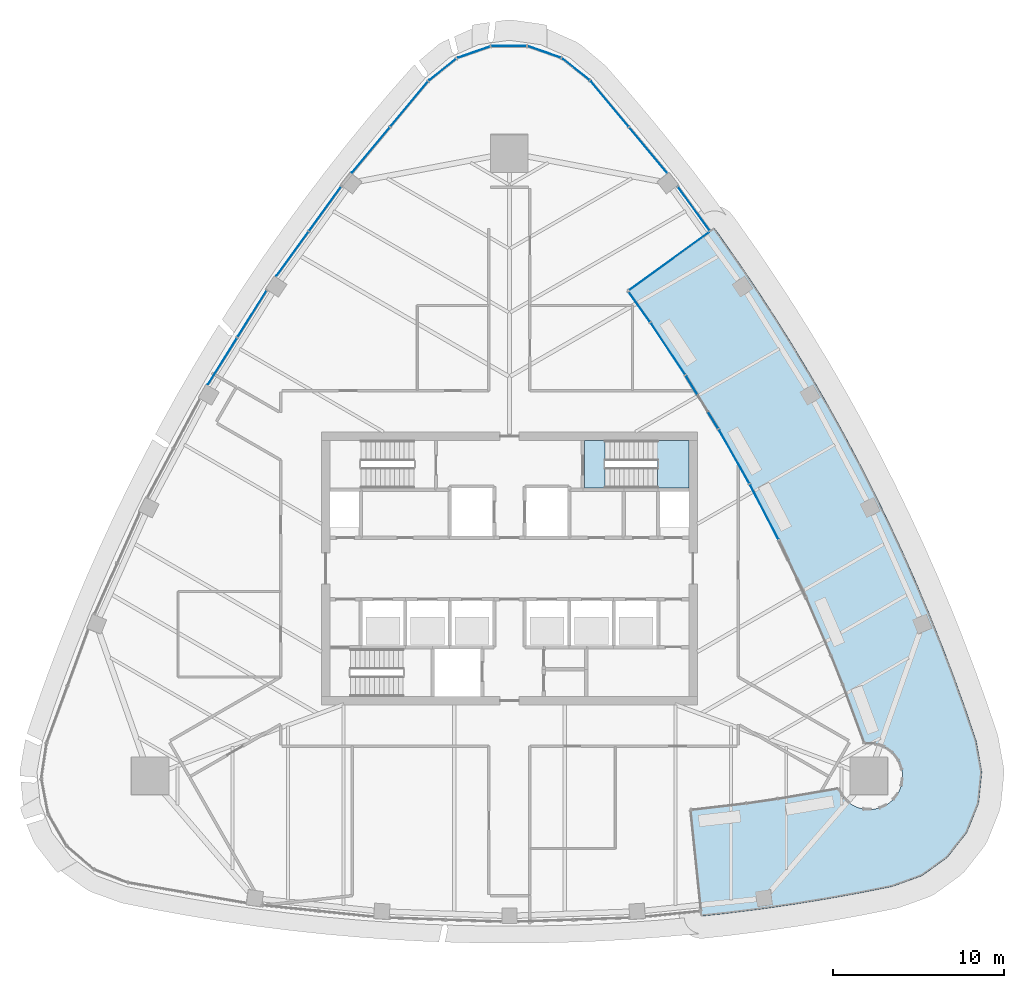
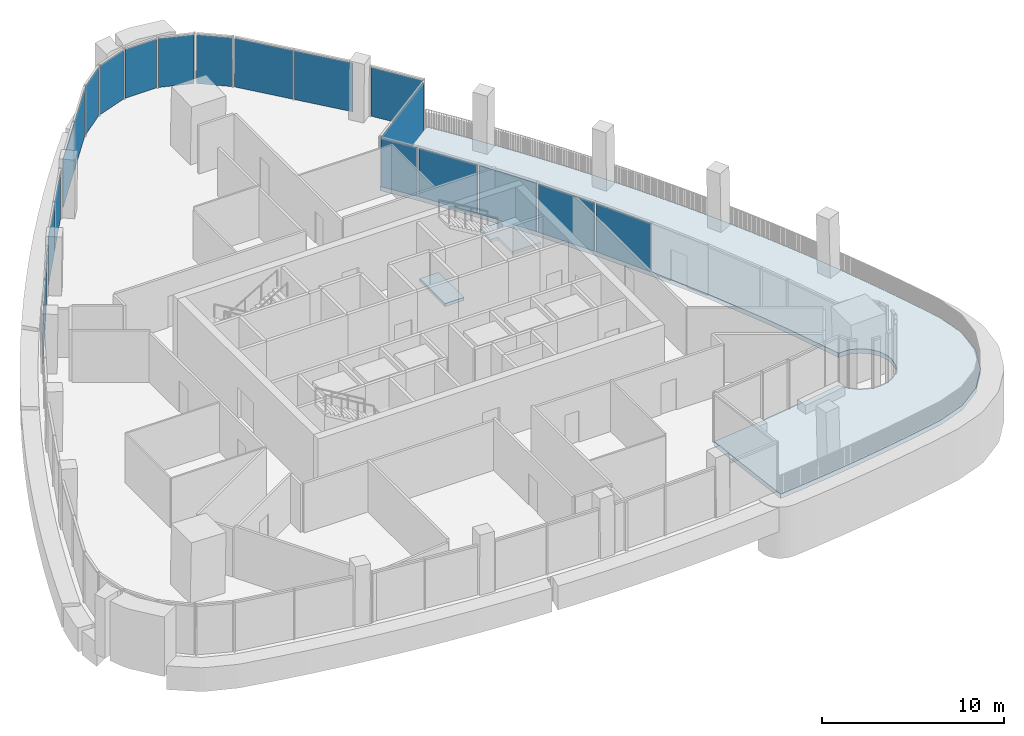
# One storey, part 10 of 20: 20 plates, 3 slabs, 17 elements without a shape of their own.
"""IFC4 building model written with IfcOpenShell, lengths in metres."""

from ifc_helpers import new_model, si_unit, direction, frame, origin, origin_2d, place, context, subcontext, project, spatial, polyline, rectangle, outline, extrude, material, layer, layer_set, type_object, element, aggregate, save


model = new_model("IFC4")

# Units and contexts
model_context = context("Model", 3, precision=1e-05, world=origin(), true_north=direction((0.0, 1.0)))
body_context = subcontext(model_context, "Body", "Model", "MODEL_VIEW")
ifc_project = project(units=[si_unit("LENGTHUNIT", "METRE"), si_unit("AREAUNIT", "SQUARE_METRE"), si_unit("VOLUMEUNIT", "CUBIC_METRE"), si_unit("PLANEANGLEUNIT", "RADIAN"), si_unit("MASSUNIT", "GRAM", prefix="KILO")], contexts=[model_context])

# Site, building, storey
site_placement = place(None, origin())
site = spatial("IfcSite", under=ifc_project, at=site_placement, CompositionType="ELEMENT")
building_placement = place(site_placement, origin())
building = spatial("IfcBuilding", under=site, at=building_placement, Name="Sierra Prisma Convention Tower", CompositionType="ELEMENT")
storey_placement = place(building_placement, frame((0.0, 0.0, 275.0)))
storey = spatial("IfcBuildingStorey", under=building, at=storey_placement, Name="L62", CompositionType="ELEMENT", Elevation=275.0)

# Curtain wall, plate
ifc_material_1 = material(Name="Aluminium and glass curtain wall", Category="aluminium")
ifc_layer_1 = layer(ifc_material_1, 0.179931640625)
ifc_layer_set_1 = layer_set([ifc_layer_1], Name="CW-1 Plain shaft curtain wall")
curtain_wall_type_1 = type_object("IfcCurtainWallType", Name="CW-1 Plain shaft curtain wall", PredefinedType="NOTDEFINED", material=ifc_layer_set_1)
curtain_wall_1_placement = place(storey_placement, origin())
curtain_wall_1 = element("IfcCurtainWall", 1, at=curtain_wall_1_placement, inside=storey, type_object=curtain_wall_type_1, Name="CW-1 NE5b L62", PredefinedType="NOTDEFINED")
ifc_material_2 = material(Name="Tinted glass bronze-grey IGU", Category="glass")
ifc_layer_2 = layer(ifc_material_2, 0.028076171875)
ifc_layer_set_2 = layer_set([ifc_layer_2], Name="CW-1 glass panel")
plate_type_1 = type_object("IfcPlateType", Name="CW-1 glass panel", PredefinedType="CURTAIN_PANEL", material=ifc_layer_set_2)
plate_1_placement = place(storey_placement, frame((10.79296875, 21.06591796875, 0.0), z_axis=(0.0, 0.0, 1.0), x_axis=(-0.586377355601, 0.810038021847, 0.0)))
plate_1 = element("IfcPlate", 2, at=plate_1_placement, type_object=plate_type_1, Name="CW-1 panel NE5b.1", PredefinedType="CURTAIN_PANEL", context=body_context, shape_type="SweptSolid", body=[
    extrude(rectangle(XDim=3.142333984375, YDim=0.028076171875, at=origin_2d()), origin(), (0.0, 0.0, 1.0), 3.280029296875),
])
aggregate(curtain_wall_1, [plate_1])

# Curtain wall, plates
curtain_wall_2_placement = place(storey_placement, origin())
curtain_wall_2 = element("IfcCurtainWall", 3, at=curtain_wall_2_placement, inside=storey, type_object=curtain_wall_type_1, Name="CW-1 NE6 L62", PredefinedType="NOTDEFINED")
plate_2_placement = place(storey_placement, frame((8.112548828125, 24.507568359375, 0.0), z_axis=(0.0, 0.0, 1.0), x_axis=(-0.640564458481, 0.767904404552, 0.0)))
plate_2 = element("IfcPlate", 4, at=plate_2_placement, type_object=plate_type_1, Name="CW-1 panel NE6.1", PredefinedType="CURTAIN_PANEL", context=body_context, shape_type="SweptSolid", body=[
    extrude(rectangle(XDim=3.42333984375, YDim=0.028076171875, at=origin_2d()), origin(), (0.0, 0.0, 1.0), 3.280029296875),
])
plate_3_placement = place(storey_placement, frame((5.875, 27.190185546875, 0.0), z_axis=(0.0, 0.0, 1.0), x_axis=(-0.640564458481, 0.767904404552, 0.0)))
plate_3 = element("IfcPlate", 5, at=plate_3_placement, type_object=plate_type_1, Name="CW-1 panel NE6.2", PredefinedType="CURTAIN_PANEL", context=body_context, shape_type="SweptSolid", body=[
    extrude(rectangle(XDim=3.42333984375, YDim=0.028076171875, at=origin_2d()), origin(), (0.0, 0.0, 1.0), 3.280029296875),
])
aggregate(curtain_wall_2, [plate_2, plate_3])

# Curtain wall, plate
curtain_wall_3_placement = place(storey_placement, origin())
curtain_wall_3 = element("IfcCurtainWall", 6, at=curtain_wall_3_placement, inside=storey, type_object=curtain_wall_type_1, Name="CW-1 N1 L62", PredefinedType="NOTDEFINED")
plate_4_placement = place(storey_placement, frame((3.90234375, 29.220947265625, 0.0), z_axis=(0.0, 0.0, 1.0), x_axis=(-0.781961986712, 0.623326119569, 0.0)))
plate_4 = element("IfcPlate", 7, at=plate_4_placement, type_object=plate_type_1, Name="CW-1 panel N1.1", PredefinedType="CURTAIN_PANEL", context=body_context, shape_type="SweptSolid", body=[
    extrude(rectangle(XDim=1.986572265625, YDim=0.028076171875, at=origin_2d()), origin(), (0.0, 0.0, 1.0), 3.280029296875),
])
aggregate(curtain_wall_3, [plate_4])

curtain_wall_4_placement = place(storey_placement, origin())
curtain_wall_4 = element("IfcCurtainWall", 8, at=curtain_wall_4_placement, inside=storey, type_object=curtain_wall_type_1, Name="CW-1 N2 L62", PredefinedType="NOTDEFINED")
plate_5_placement = place(storey_placement, frame((2.067138671875, 30.23486328125, 0.0), z_axis=(0.0, 0.0, 1.0), x_axis=(-0.94391789545, 0.33018026387, 0.0)))
plate_5 = element("IfcPlate", 9, at=plate_5_placement, type_object=plate_type_1, Name="CW-1 panel N2.1", PredefinedType="CURTAIN_PANEL", context=body_context, shape_type="SweptSolid", body=[
    extrude(rectangle(XDim=1.986572265625, YDim=0.028076171875, at=origin_2d()), origin(), (0.0, 0.0, 1.0), 3.280029296875),
])
aggregate(curtain_wall_4, [plate_5])

curtain_wall_5_placement = place(storey_placement, origin())
curtain_wall_5 = element("IfcCurtainWall", 10, at=curtain_wall_5_placement, inside=storey, type_object=curtain_wall_type_1, Name="CW-1 N3 L62", PredefinedType="NOTDEFINED")
plate_6_placement = place(storey_placement, frame((0.0, 30.5859375, 0.0), z_axis=(0.0, 0.0, 1.0), x_axis=(-1.0, 0.0, 0.0)))
plate_6 = element("IfcPlate", 11, at=plate_6_placement, type_object=plate_type_1, Name="CW-1 panel N3.1", PredefinedType="CURTAIN_PANEL", context=body_context, shape_type="SweptSolid", body=[
    extrude(rectangle(XDim=1.986572265625, YDim=0.028076171875, at=origin_2d()), origin(), (0.0, 0.0, 1.0), 3.280029296875),
])
aggregate(curtain_wall_5, [plate_6])

curtain_wall_6_placement = place(storey_placement, origin())
curtain_wall_6 = element("IfcCurtainWall", 12, at=curtain_wall_6_placement, inside=storey, type_object=curtain_wall_type_1, Name="CW-1 N4 L62", PredefinedType="NOTDEFINED")
plate_7_placement = place(storey_placement, frame((-2.067138671875, 30.23486328125, 0.0), z_axis=(0.0, 0.0, 1.0), x_axis=(-0.94391789545, -0.33018026387, 0.0)))
plate_7 = element("IfcPlate", 13, at=plate_7_placement, type_object=plate_type_1, Name="CW-1 panel N4.1", PredefinedType="CURTAIN_PANEL", context=body_context, shape_type="SweptSolid", body=[
    extrude(rectangle(XDim=1.986572265625, YDim=0.028076171875, at=origin_2d()), origin(), (0.0, 0.0, 1.0), 3.280029296875),
])
aggregate(curtain_wall_6, [plate_7])

curtain_wall_7_placement = place(storey_placement, origin())
curtain_wall_7 = element("IfcCurtainWall", 14, at=curtain_wall_7_placement, inside=storey, type_object=curtain_wall_type_1, Name="CW-1 N5 L62", PredefinedType="NOTDEFINED")
plate_8_placement = place(storey_placement, frame((-3.90234375, 29.220947265625, 0.0), z_axis=(0.0, 0.0, 1.0), x_axis=(-0.781961986712, -0.623326119569, 0.0)))
plate_8 = element("IfcPlate", 15, at=plate_8_placement, type_object=plate_type_1, Name="CW-1 panel N5.1", PredefinedType="CURTAIN_PANEL", context=body_context, shape_type="SweptSolid", body=[
    extrude(rectangle(XDim=1.986572265625, YDim=0.028076171875, at=origin_2d()), origin(), (0.0, 0.0, 1.0), 3.280029296875),
])
aggregate(curtain_wall_7, [plate_8])

# Curtain wall, plates
curtain_wall_8_placement = place(storey_placement, origin())
curtain_wall_8 = element("IfcCurtainWall", 16, at=curtain_wall_8_placement, inside=storey, type_object=curtain_wall_type_1, Name="CW-1 NW1 L62", PredefinedType="NOTDEFINED")
plate_9_placement = place(storey_placement, frame((-5.875, 27.190185546875, 0.0), z_axis=(0.0, 0.0, 1.0), x_axis=(-0.640564458481, -0.767904404552, 0.0)))
plate_9 = element("IfcPlate", 17, at=plate_9_placement, type_object=plate_type_1, Name="CW-1 panel NW1.1", PredefinedType="CURTAIN_PANEL", context=body_context, shape_type="SweptSolid", body=[
    extrude(rectangle(XDim=3.42333984375, YDim=0.028076171875, at=origin_2d()), origin(), (0.0, 0.0, 1.0), 3.280029296875),
])
plate_10_placement = place(storey_placement, frame((-8.112548828125, 24.507568359375, 0.0), z_axis=(0.0, 0.0, 1.0), x_axis=(-0.640564458481, -0.767904404552, 0.0)))
plate_10 = element("IfcPlate", 18, at=plate_10_placement, type_object=plate_type_1, Name="CW-1 panel NW1.2", PredefinedType="CURTAIN_PANEL", context=body_context, shape_type="SweptSolid", body=[
    extrude(rectangle(XDim=3.42333984375, YDim=0.028076171875, at=origin_2d()), origin(), (0.0, 0.0, 1.0), 3.280029296875),
])
aggregate(curtain_wall_8, [plate_9, plate_10])

curtain_wall_9_placement = place(storey_placement, origin())
curtain_wall_9 = element("IfcCurtainWall", 19, at=curtain_wall_9_placement, inside=storey, type_object=curtain_wall_type_1, Name="CW-1 NW2 L62", PredefinedType="NOTDEFINED")
plate_11_placement = place(storey_placement, frame((-10.803955078125, 21.050537109375, 0.0), z_axis=(0.0, 0.0, 1.0), x_axis=(-0.586377355601, -0.810038021847, 0.0)))
plate_11 = element("IfcPlate", 20, at=plate_11_placement, type_object=plate_type_1, Name="CW-1 panel NW2.1", PredefinedType="CURTAIN_PANEL", context=body_context, shape_type="SweptSolid", body=[
    extrude(rectangle(XDim=3.17626953125, YDim=0.028076171875, at=origin_2d()), origin(), (0.0, 0.0, 1.0), 3.280029296875),
])
plate_12_placement = place(storey_placement, frame((-12.707763671875, 18.4208984375, 0.0), z_axis=(0.0, 0.0, 1.0), x_axis=(-0.586377355601, -0.810038021847, 0.0)))
plate_12 = element("IfcPlate", 21, at=plate_12_placement, type_object=plate_type_1, Name="CW-1 panel NW2.2", PredefinedType="CURTAIN_PANEL", context=body_context, shape_type="SweptSolid", body=[
    extrude(rectangle(XDim=3.17626953125, YDim=0.028076171875, at=origin_2d()), origin(), (0.0, 0.0, 1.0), 3.280029296875),
])
aggregate(curtain_wall_9, [plate_11, plate_12])

curtain_wall_10_placement = place(storey_placement, origin())
curtain_wall_10 = element("IfcCurtainWall", 22, at=curtain_wall_10_placement, inside=storey, type_object=curtain_wall_type_1, Name="CW-1 NW3 L62", PredefinedType="NOTDEFINED")
plate_13_placement = place(storey_placement, frame((-15.070556640625, 14.90771484375, 0.0), z_axis=(0.0, 0.0, 1.0), x_axis=(-0.52942754531, -0.848355158096, 0.0)))
plate_13 = element("IfcPlate", 23, at=plate_13_placement, type_object=plate_type_1, Name="CW-1 panel NW3.1", PredefinedType="CURTAIN_PANEL", context=body_context, shape_type="SweptSolid", body=[
    extrude(rectangle(XDim=3.192138671875, YDim=0.028076171875, at=origin_2d()), origin(), (0.0, 0.0, 1.0), 3.280029296875),
])
plate_14_placement = place(storey_placement, frame((-16.7978515625, 12.14013671875, 0.0), z_axis=(0.0, 0.0, 1.0), x_axis=(-0.52942754531, -0.848355158096, 0.0)))
plate_14 = element("IfcPlate", 24, at=plate_14_placement, type_object=plate_type_1, Name="CW-1 panel NW3.2", PredefinedType="CURTAIN_PANEL", context=body_context, shape_type="SweptSolid", body=[
    extrude(rectangle(XDim=3.192138671875, YDim=0.028076171875, at=origin_2d()), origin(), (0.0, 0.0, 1.0), 3.280029296875),
])
aggregate(curtain_wall_10, [plate_13, plate_14])

# Curtain wall, plate
ifc_material_3 = material(Name="Aluminium and glass curtain wall", Category="aluminium")
ifc_layer_3 = layer(ifc_material_3, 0.179931640625)
ifc_layer_set_3 = layer_set([ifc_layer_3], Name="CW-6 Terrace recess curtain wall")
curtain_wall_type_2 = type_object("IfcCurtainWallType", Name="CW-6 Terrace recess curtain wall", PredefinedType="NOTDEFINED", material=ifc_layer_set_3)
curtain_wall_11_placement = place(storey_placement, origin())
curtain_wall_11 = element("IfcCurtainWall", 25, at=curtain_wall_11_placement, inside=storey, type_object=curtain_wall_type_2, Name="CW-6 R25 L62", PredefinedType="NOTDEFINED")
ifc_material_4 = material(Name="Tinted glass bronze-grey IGU", Category="glass")
ifc_layer_4 = layer(ifc_material_4, 0.028076171875)
ifc_layer_set_4 = layer_set([ifc_layer_4], Name="CW-6 glass panel")
plate_type_2 = type_object("IfcPlateType", Name="CW-6 glass panel", PredefinedType="CURTAIN_PANEL", material=ifc_layer_set_4)
plate_15_placement = place(storey_placement, frame((14.930419921875, 3.27880859375, 0.0), z_axis=(0.0, 0.0, 1.0), x_axis=(-0.460736285609, 0.887537083802, 0.0)))
plate_15 = element("IfcPlate", 26, at=plate_15_placement, type_object=plate_type_2, Name="CW-6 panel R25.1", PredefinedType="CURTAIN_PANEL", context=body_context, shape_type="SweptSolid", body=[
    extrude(rectangle(XDim=3.56201171875, YDim=0.028076171875, at=origin_2d()), origin(), (0.0, 0.0, 1.0), 3.219970703125),
])
aggregate(curtain_wall_11, [plate_15])

curtain_wall_12_placement = place(storey_placement, origin())
curtain_wall_12 = element("IfcCurtainWall", 27, at=curtain_wall_12_placement, inside=storey, type_object=curtain_wall_type_2, Name="CW-6 R26 L62", PredefinedType="NOTDEFINED")
plate_16_placement = place(storey_placement, frame((13.16650390625, 6.532958984375, 0.0), z_axis=(0.0, 0.0, 1.0), x_axis=(-0.492224942337, 0.870468038553, 0.0)))
plate_16 = element("IfcPlate", 28, at=plate_16_placement, type_object=plate_type_2, Name="CW-6 panel R26.1", PredefinedType="CURTAIN_PANEL", context=body_context, shape_type="SweptSolid", body=[
    extrude(rectangle(XDim=3.56201171875, YDim=0.028076171875, at=origin_2d()), origin(), (0.0, 0.0, 1.0), 3.219970703125),
])
aggregate(curtain_wall_12, [plate_16])

curtain_wall_13_placement = place(storey_placement, origin())
curtain_wall_13 = element("IfcCurtainWall", 29, at=curtain_wall_13_placement, inside=storey, type_object=curtain_wall_type_2, Name="CW-6 R27 L62", PredefinedType="NOTDEFINED")
plate_17_placement = place(storey_placement, frame((11.287109375, 9.721923828125, 0.0), z_axis=(0.0, 0.0, 1.0), x_axis=(-0.523082129672, 0.852282280478, 0.0)))
plate_17 = element("IfcPlate", 30, at=plate_17_placement, type_object=plate_type_2, Name="CW-6 panel R27.1", PredefinedType="CURTAIN_PANEL", context=body_context, shape_type="SweptSolid", body=[
    extrude(rectangle(XDim=3.56201171875, YDim=0.028076171875, at=origin_2d()), origin(), (0.0, 0.0, 1.0), 3.219970703125),
])
aggregate(curtain_wall_13, [plate_17])

curtain_wall_14_placement = place(storey_placement, origin())
curtain_wall_14 = element("IfcCurtainWall", 31, at=curtain_wall_14_placement, inside=storey, type_object=curtain_wall_type_2, Name="CW-6 R28 L62", PredefinedType="NOTDEFINED")
plate_18_placement = place(storey_placement, frame((9.294677734375, 12.841552734375, 0.0), z_axis=(0.0, 0.0, 1.0), x_axis=(-0.553268261336, 0.833003139849, 0.0)))
plate_18 = element("IfcPlate", 32, at=plate_18_placement, type_object=plate_type_2, Name="CW-6 panel R28.1", PredefinedType="CURTAIN_PANEL", context=body_context, shape_type="SweptSolid", body=[
    extrude(rectangle(XDim=3.56201171875, YDim=0.028076171875, at=origin_2d()), origin(), (0.0, 0.0, 1.0), 3.219970703125),
])
aggregate(curtain_wall_14, [plate_18])

curtain_wall_15_placement = place(storey_placement, origin())
curtain_wall_15 = element("IfcCurtainWall", 33, at=curtain_wall_15_placement, inside=storey, type_object=curtain_wall_type_2, Name="CW-6 R29 L62", PredefinedType="NOTDEFINED")
plate_19_placement = place(storey_placement, frame((7.60595703125, 15.317626953125, 0.0), z_axis=(0.0, 0.0, 1.0), x_axis=(-0.579669480301, 0.814851700377, 0.0)))
plate_19 = element("IfcPlate", 34, at=plate_19_placement, type_object=plate_type_2, Name="CW-6 panel R29.1", PredefinedType="CURTAIN_PANEL", context=body_context, shape_type="SweptSolid", body=[
    extrude(rectangle(XDim=2.15283203125, YDim=0.028076171875, at=origin_2d()), origin(), (0.0, 0.0, 1.0), 3.219970703125),
])
aggregate(curtain_wall_15, [plate_19])

curtain_wall_16_placement = place(storey_placement, origin())
curtain_wall_16 = element("IfcCurtainWall", 35, at=curtain_wall_16_placement, inside=storey, type_object=curtain_wall_type_2, Name="CW-6 RT2 L62", PredefinedType="NOTDEFINED")
plate_20_placement = place(storey_placement, frame((9.348388671875, 17.994140625, 0.0), z_axis=(0.0, 0.0, 1.0), x_axis=(0.810038021847, 0.586377355601, 0.0)))
plate_20 = element("IfcPlate", 36, at=plate_20_placement, type_object=plate_type_2, Name="CW-6 panel RT2.1", PredefinedType="CURTAIN_PANEL", context=body_context, shape_type="SweptSolid", body=[
    extrude(rectangle(XDim=5.802734375, YDim=0.028076171875, at=origin_2d()), origin(), (0.0, 0.0, 1.0), 3.219970703125),
])
aggregate(curtain_wall_16, [plate_20])

# Stair, slab
ifc_material_5 = material(Name="Concrete C30/37", Category="concrete")
stair_type = type_object("IfcStairType", Name="Stair dog-leg 1200 RC", PredefinedType="HALF_TURN_STAIR", material=ifc_material_5)
stair_placement = place(storey_placement, origin())
stair = element("IfcStair", 37, at=stair_placement, inside=storey, type_object=stair_type, Name="L62 S4", PredefinedType="HALF_TURN_STAIR")
ifc_material_6 = material(Name="Concrete C35/45", Category="concrete")
ifc_layer_5 = layer(ifc_material_6, 0.199951171875)
ifc_layer_set_5 = layer_set([ifc_layer_5], Name="Stair landing slab")
slab_type_1 = type_object("IfcSlabType", Name="Stair landing slab", PredefinedType="LANDING", material=ifc_layer_set_5)
slab_1_placement = place(storey_placement, frame((0.0, 0.0, 1.800048828125)))
slab_1 = element("IfcSlab", 38, at=slab_1_placement, type_object=slab_type_1, Name="S4 landing 1", PredefinedType="LANDING", context=body_context, shape_type="SweptSolid", body=[
    extrude(outline(polyline([(10.5, 7.5), (10.5, 4.699951171875), (8.677978515625, 4.699951171875), (8.677978515625, 6.300048828125), (8.22998046875, 6.300048828125), (8.22998046875, 7.5), (10.5, 7.5)])), origin(), (0.0, 0.0, 1.0), 0.199951171875),
])
aggregate(stair, [slab_1])

# Slabs
slab_2_placement = place(storey_placement, frame((0.0, 0.0, -0.199951171875)))
element("IfcSlab", 39, at=slab_2_placement, inside=storey, type_object=slab_type_1, Name="S4 floor landing L62", PredefinedType="LANDING", context=body_context, shape_type="SweptSolid", body=[
    extrude(outline(polyline([(4.39990234375, 4.699951171875), (5.60205078125, 4.699951171875), (5.60205078125, 7.5), (4.39990234375, 7.5), (4.39990234375, 4.699951171875)])), origin(), (0.0, 0.0, 1.0), 0.199951171875),
])
ifc_material_7 = material(Name="Concrete C50/60", Category="concrete")
ifc_layer_6 = layer(ifc_material_7, 0.300048828125)
ifc_layer_set_6 = layer_set([ifc_layer_6], Name="Terrace slab")
slab_type_2 = type_object("IfcSlabType", Name="Terrace slab", PredefinedType="FLOOR", material=ifc_layer_set_6)
slab_3_placement = place(storey_placement, frame((0.0, 0.0, -0.300048828125)))
element("IfcSlab", 40, at=slab_3_placement, inside=storey, type_object=slab_type_2, Name="Terrace slab L62", PredefinedType="FLOOR", context=body_context, shape_type="SweptSolid", body=[
    extrude(outline(polyline([(11.2470703125, -20.358154296875), (12.7314453125, -20.197998046875), (14.678955078125, -19.95263671875), (16.6220703125, -19.67236328125), (18.5595703125, -19.357177734375), (20.4912109375, -19.007568359375), (22.41650390625, -18.623291015625), (24.151611328125, -17.99755859375), (25.64599609375, -16.915771484375), (26.782470703125, -15.462890625), (27.472412109375, -13.752197265625), (27.662109375, -11.917236328125), (27.33642578125, -10.1015625), (26.706787109375, -8.2421875), (26.043701171875, -6.39453125), (25.34765625, -4.558837890625), (24.619140625, -2.736083984375), (23.857666015625, -0.926513671875), (23.064208984375, 0.868896484375), (22.23876953125, 2.64990234375), (21.38134765625, 4.416015625), (20.492431640625, 6.166259765625), (19.572509765625, 7.900390625), (18.62158203125, 9.61767578125), (17.639892578125, 11.31787109375), (16.628173828125, 13.0), (15.58642578125, 14.663818359375), (14.514892578125, 16.308837890625), (13.414306640625, 17.934326171875), (12.28466796875, 19.539794921875), (12.006591796875, 19.920166015625), (6.94140625, 16.251708984375), (8.2705078125, 14.383544921875), (10.31884765625, 11.299560546875), (12.25537109375, 8.144287109375), (14.07763671875, 4.921875), (15.783203125, 1.635986328125), (17.370361328125, -1.708740234375), (18.83642578125, -5.108154296875), (19.523681640625, -6.8271484375), (20.780029296875, -10.230712890625), (21.4482421875, -10.244873046875), (21.988525390625, -10.438232421875), (22.449462890625, -10.780029296875), (22.791259765625, -11.240966796875), (22.984619140625, -11.78125), (23.022216796875, -12.162841796875), (22.93798828125, -12.73046875), (22.791259765625, -13.084716796875), (22.449462890625, -13.545654296875), (22.153076171875, -13.788818359375), (21.63427734375, -14.0341796875), (21.25830078125, -14.109130859375), (20.68505859375, -14.080810546875), (20.318359375, -13.9697265625), (19.980224609375, -13.788818359375), (19.554931640625, -13.403564453125), (19.2490234375, -12.880859375), (15.674072265625, -13.494384765625), (13.842041015625, -13.7587890625), (10.602783203125, -14.137451171875), (11.2470703125, -20.358154296875)])), origin(), (0.0, 0.0, 1.0), 0.300048828125),
])

save(model, "model.ifc")
